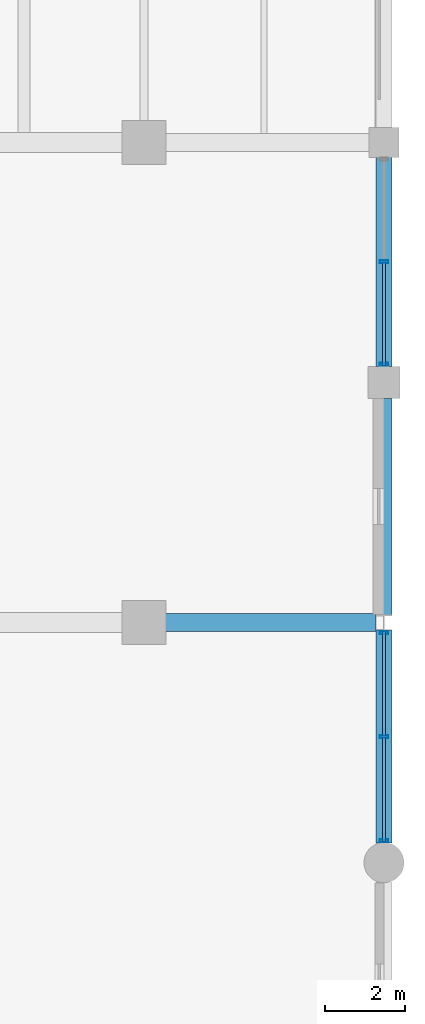
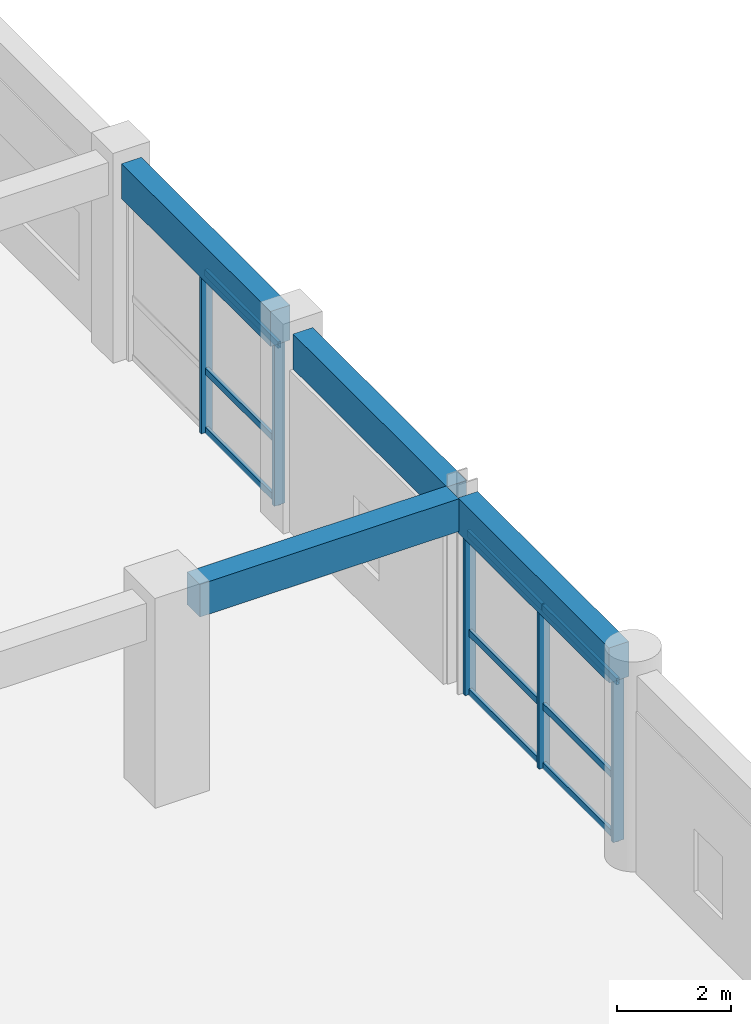
# One storey, part 67 of 133: 14 members, 4 beams, 2 elements without a shape of their own.
"""IFC4 building model written with IfcOpenShell, lengths in metres."""

from ifc_helpers import new_model, si_unit, direction, frame, origin, origin_2d, place, context, subcontext, project, spatial, rectangle, hollow_rectangle, extrude, material, material_profile, profile_set, type_object, element, aggregate, save


model = new_model("IFC4")

# Units and contexts
model_context = context("Model", 3, precision=1e-05, world=origin(), true_north=direction((0.0, 1.0)))
body_context = subcontext(model_context, "Body", "Model", "MODEL_VIEW")
ifc_project = project(units=[si_unit("LENGTHUNIT", "METRE"), si_unit("AREAUNIT", "SQUARE_METRE"), si_unit("VOLUMEUNIT", "CUBIC_METRE"), si_unit("PLANEANGLEUNIT", "RADIAN"), si_unit("MASSUNIT", "GRAM", prefix="KILO"), si_unit("THERMODYNAMICTEMPERATUREUNIT", "KELVIN"), si_unit("POWERUNIT", "WATT")], contexts=[model_context])

# Site, building, storey
site_placement = place(None, origin())
site = spatial("IfcSite", under=ifc_project, at=site_placement, CompositionType="ELEMENT")
building_placement = place(site_placement, origin())
building = spatial("IfcBuilding", under=site, at=building_placement, Name="Phaisarnlok Congress Hotel", CompositionType="ELEMENT")
storey_placement = place(building_placement, frame((0.0, 0.0, 6.0)))
storey = spatial("IfcBuildingStorey", under=building, at=storey_placement, Name="L01", CompositionType="ELEMENT", Elevation=6.0)

# Beam
ifc_material_1 = material(Name="Concrete C40/50", Category="concrete")
ifc_material_profile_1 = material_profile(ifc_material_1, rectangle(XDim=0.449951171875, YDim=0.699951171875, at=origin_2d()), Name="RC 450x700")
ifc_profile_set_1 = profile_set([ifc_material_profile_1], Name="Concrete C40/50")
beam_type_1 = type_object("IfcBeamType", Name="BM-RC-450x700", PredefinedType="BEAM", material=ifc_profile_set_1)
beam_1_placement = place(storey_placement, frame((174.544921875, 54.0, 3.8701171875), z_axis=(1.0, 0.0, 0.0), x_axis=(0.0, 1.0, 0.0)))
element("IfcBeam", 1, at=beam_1_placement, inside=storey, type_object=beam_type_1, Name="Beam B-03", PredefinedType="BEAM", context=body_context, shape_type="SweptSolid", body=[
    extrude(rectangle(XDim=0.449951171875, YDim=0.699951171875, at=origin_2d()), origin(), (0.0, 0.0, 1.0), 5.259521484375),
])

# Curtain wall, members
ifc_material_2 = material(Name="Thermally Broken Unitised Aluminium & Low-E Glazing", Category="aluminium")
curtain_wall_type_1 = type_object("IfcCurtainWallType", Name="CW-UNIT-13", PredefinedType="NOTDEFINED", material=ifc_material_2)
curtain_wall_1_placement = place(storey_placement, origin())
curtain_wall_1 = element("IfcCurtainWall", 2, at=curtain_wall_1_placement, inside=storey, type_object=curtain_wall_type_1, Name="Unitised curtain wall CW-13 (L01)", PredefinedType="NOTDEFINED")
ifc_material_3 = material(Name="Anodised Aluminium Alloy 6063-T6", Category="aluminium")
ifc_material_profile_2 = material_profile(ifc_material_3, hollow_rectangle(XDim=0.074951171875, YDim=0.219970703125, WallThickness=0.0048828125, at=origin_2d()), Name="ALU-M 75x220x5")
ifc_profile_set_2 = profile_set([ifc_material_profile_2], Name="Anodised Aluminium Alloy 6063-T6")
member_type_1 = type_object("IfcMemberType", Name="CWM-220", PredefinedType="MULLION", material=ifc_profile_set_2)
member_1_placement = place(storey_placement, frame((180.0, 48.550048828125, 0.0), z_axis=(0.0, 0.0, 1.0), x_axis=(0.0, 1.0, 0.0)))
member_1 = element("IfcMember", 3, at=member_1_placement, type_object=member_type_1, Name="Curtain wall mullion CWM-02", PredefinedType="MULLION", context=body_context, shape_type="SweptSolid", body=[
    extrude(hollow_rectangle(XDim=0.074951171875, YDim=0.219970703125, WallThickness=0.0048828125, at=origin_2d()), origin(), (0.0, 0.0, 1.0), 3.469970703125),
])
member_2_placement = place(storey_placement, frame((180.0, 51.150146484375, 0.0), z_axis=(0.0, 0.0, 1.0), x_axis=(0.0, 1.0, 0.0)))
member_2 = element("IfcMember", 4, at=member_2_placement, type_object=member_type_1, Name="Curtain wall mullion CWM-02", PredefinedType="MULLION", context=body_context, shape_type="SweptSolid", body=[
    extrude(hollow_rectangle(XDim=0.074951171875, YDim=0.219970703125, WallThickness=0.0048828125, at=origin_2d()), origin(), (0.0, 0.0, 1.0), 3.469970703125),
])
member_3_placement = place(storey_placement, frame((180.0, 53.75048828125, 0.0), z_axis=(0.0, 0.0, 1.0), x_axis=(0.0, 1.0, 0.0)))
member_3 = element("IfcMember", 5, at=member_3_placement, type_object=member_type_1, Name="Curtain wall mullion CWM-02", PredefinedType="MULLION", context=body_context, shape_type="SweptSolid", body=[
    extrude(hollow_rectangle(XDim=0.074951171875, YDim=0.219970703125, WallThickness=0.0048828125, at=origin_2d()), origin(), (0.0, 0.0, 1.0), 3.469970703125),
])

curtain_wall_type_2 = type_object("IfcCurtainWallType", Name="CW-UNIT-15", PredefinedType="NOTDEFINED", material=ifc_material_2)
curtain_wall_2_placement = place(storey_placement, origin())
curtain_wall_2 = element("IfcCurtainWall", 6, at=curtain_wall_2_placement, inside=storey, type_object=curtain_wall_type_2, Name="Unitised curtain wall CW-15 (L01)", PredefinedType="NOTDEFINED")
member_4_placement = place(storey_placement, frame((180.0, 60.449951171875, 0.0), z_axis=(0.0, 0.0, 1.0), x_axis=(0.0, 1.0, 0.0)))
member_4 = element("IfcMember", 7, at=member_4_placement, type_object=member_type_1, Name="Curtain wall mullion CWM-02", PredefinedType="MULLION", context=body_context, shape_type="SweptSolid", body=[
    extrude(hollow_rectangle(XDim=0.074951171875, YDim=0.219970703125, WallThickness=0.0048828125, at=origin_2d()), origin(), (0.0, 0.0, 1.0), 3.469970703125),
])
member_5_placement = place(storey_placement, frame((180.0, 63.012451171875, 0.0), z_axis=(0.0, 0.0, 1.0), x_axis=(0.0, 1.0, 0.0)))
member_5 = element("IfcMember", 8, at=member_5_placement, type_object=member_type_1, Name="Curtain wall mullion CWM-02", PredefinedType="MULLION", context=body_context, shape_type="SweptSolid", body=[
    extrude(hollow_rectangle(XDim=0.074951171875, YDim=0.219970703125, WallThickness=0.0048828125, at=origin_2d()), origin(), (0.0, 0.0, 1.0), 3.469970703125),
])

# Member
ifc_material_profile_3 = material_profile(ifc_material_3, hollow_rectangle(XDim=0.06494140625, YDim=0.139892578125, WallThickness=0.00390625, at=origin_2d()), Name="ALU-T 65x140x4")
ifc_profile_set_3 = profile_set([ifc_material_profile_3], Name="Anodised Aluminium Alloy 6063-T6")
member_type_2 = type_object("IfcMemberType", Name="CWT-150", PredefinedType="USERDEFINED", material=ifc_profile_set_3)
member_6_placement = place(storey_placement, frame((180.0, 48.52490234375, 0.050048828125), z_axis=(0.0, 1.0, 0.0), x_axis=(-1.0, 0.0, 0.0)))
member_6 = element("IfcMember", 9, at=member_6_placement, type_object=member_type_2, Name="Curtain wall transom CWT-01", ObjectType="TRANSOM", PredefinedType="USERDEFINED", context=body_context, shape_type="SweptSolid", body=[
    extrude(hollow_rectangle(XDim=0.06494140625, YDim=0.139892578125, WallThickness=0.00390625, at=origin_2d()), origin(), (0.0, 0.0, 1.0), 2.6103515625),
])

member_7_placement = place(storey_placement, frame((180.0, 48.52490234375, 1.318603515625), z_axis=(0.0, 1.0, 0.0), x_axis=(-1.0, 0.0, 0.0)))
member_7 = element("IfcMember", 10, at=member_7_placement, type_object=member_type_2, Name="Curtain wall transom CWT-01", ObjectType="TRANSOM", PredefinedType="USERDEFINED", context=body_context, shape_type="SweptSolid", body=[
    extrude(hollow_rectangle(XDim=0.06494140625, YDim=0.139892578125, WallThickness=0.00390625, at=origin_2d()), origin(), (0.0, 0.0, 1.0), 2.6103515625),
])

member_8_placement = place(storey_placement, frame((180.0, 48.52490234375, 3.419921875), z_axis=(0.0, 1.0, 0.0), x_axis=(-1.0, 0.0, 0.0)))
member_8 = element("IfcMember", 11, at=member_8_placement, type_object=member_type_2, Name="Curtain wall transom CWT-01", ObjectType="TRANSOM", PredefinedType="USERDEFINED", context=body_context, shape_type="SweptSolid", body=[
    extrude(hollow_rectangle(XDim=0.06494140625, YDim=0.139892578125, WallThickness=0.00390625, at=origin_2d()), origin(), (0.0, 0.0, 1.0), 2.6103515625),
])

member_9_placement = place(storey_placement, frame((180.0, 51.165283203125, 0.050048828125), z_axis=(0.0, 1.0, 0.0), x_axis=(-1.0, 0.0, 0.0)))
member_9 = element("IfcMember", 12, at=member_9_placement, type_object=member_type_2, Name="Curtain wall transom CWT-01", ObjectType="TRANSOM", PredefinedType="USERDEFINED", context=body_context, shape_type="SweptSolid", body=[
    extrude(hollow_rectangle(XDim=0.06494140625, YDim=0.139892578125, WallThickness=0.00390625, at=origin_2d()), origin(), (0.0, 0.0, 1.0), 2.610107421875),
])

member_10_placement = place(storey_placement, frame((180.0, 51.165283203125, 1.318603515625), z_axis=(0.0, 1.0, 0.0), x_axis=(-1.0, 0.0, 0.0)))
member_10 = element("IfcMember", 13, at=member_10_placement, type_object=member_type_2, Name="Curtain wall transom CWT-01", ObjectType="TRANSOM", PredefinedType="USERDEFINED", context=body_context, shape_type="SweptSolid", body=[
    extrude(hollow_rectangle(XDim=0.06494140625, YDim=0.139892578125, WallThickness=0.00390625, at=origin_2d()), origin(), (0.0, 0.0, 1.0), 2.610107421875),
])

member_11_placement = place(storey_placement, frame((180.0, 51.165283203125, 3.419921875), z_axis=(0.0, 1.0, 0.0), x_axis=(-1.0, 0.0, 0.0)))
member_11 = element("IfcMember", 14, at=member_11_placement, type_object=member_type_2, Name="Curtain wall transom CWT-01", ObjectType="TRANSOM", PredefinedType="USERDEFINED", context=body_context, shape_type="SweptSolid", body=[
    extrude(hollow_rectangle(XDim=0.06494140625, YDim=0.139892578125, WallThickness=0.00390625, at=origin_2d()), origin(), (0.0, 0.0, 1.0), 2.610107421875),
])

aggregate(curtain_wall_1, [member_1, member_2, member_3, member_6, member_7, member_8, member_9, member_10, member_11])

member_12_placement = place(storey_placement, frame((180.0, 60.425048828125, 0.050048828125), z_axis=(0.0, 1.0, 0.0), x_axis=(-1.0, 0.0, 0.0)))
member_12 = element("IfcMember", 15, at=member_12_placement, type_object=member_type_2, Name="Curtain wall transom CWT-01", ObjectType="TRANSOM", PredefinedType="USERDEFINED", context=body_context, shape_type="SweptSolid", body=[
    extrude(hollow_rectangle(XDim=0.06494140625, YDim=0.139892578125, WallThickness=0.00390625, at=origin_2d()), origin(), (0.0, 0.0, 1.0), 2.572509765625),
])

member_13_placement = place(storey_placement, frame((180.0, 60.425048828125, 1.318603515625), z_axis=(0.0, 1.0, 0.0), x_axis=(-1.0, 0.0, 0.0)))
member_13 = element("IfcMember", 16, at=member_13_placement, type_object=member_type_2, Name="Curtain wall transom CWT-01", ObjectType="TRANSOM", PredefinedType="USERDEFINED", context=body_context, shape_type="SweptSolid", body=[
    extrude(hollow_rectangle(XDim=0.06494140625, YDim=0.139892578125, WallThickness=0.00390625, at=origin_2d()), origin(), (0.0, 0.0, 1.0), 2.572509765625),
])

member_14_placement = place(storey_placement, frame((180.0, 60.425048828125, 3.419921875), z_axis=(0.0, 1.0, 0.0), x_axis=(-1.0, 0.0, 0.0)))
member_14 = element("IfcMember", 17, at=member_14_placement, type_object=member_type_2, Name="Curtain wall transom CWT-01", ObjectType="TRANSOM", PredefinedType="USERDEFINED", context=body_context, shape_type="SweptSolid", body=[
    extrude(hollow_rectangle(XDim=0.06494140625, YDim=0.139892578125, WallThickness=0.00390625, at=origin_2d()), origin(), (0.0, 0.0, 1.0), 2.572509765625),
])

aggregate(curtain_wall_2, [member_4, member_5, member_12, member_13, member_14])

# Beams
ifc_material_profile_4 = material_profile(ifc_material_1, rectangle(XDim=0.39990234375, YDim=0.75, at=origin_2d()), Name="RC 400x750")
ifc_profile_set_4 = profile_set([ifc_material_profile_4], Name="Concrete C40/50")
beam_type_2 = type_object("IfcBeamType", Name="SP-RC-400x750", PredefinedType="SPANDREL", material=ifc_profile_set_4)
beam_2_placement = place(storey_placement, frame((180.0, 48.4951171875, 3.844970703125), z_axis=(0.0, 1.0, 0.0), x_axis=(-1.0, 0.0, 0.0)))
element("IfcBeam", 18, at=beam_2_placement, inside=storey, type_object=beam_type_2, Name="Beam SP-02", PredefinedType="SPANDREL", context=body_context, shape_type="SweptSolid", body=[
    extrude(rectangle(XDim=0.39990234375, YDim=0.75, at=origin_2d()), origin(), (0.0, 0.0, 1.0), 5.310302734375),
])
beam_3_placement = place(storey_placement, frame((180.0, 54.194580078125, 3.844970703125), z_axis=(0.0, 1.0, 0.0), x_axis=(-1.0, 0.0, 0.0)))
element("IfcBeam", 19, at=beam_3_placement, inside=storey, type_object=beam_type_2, Name="Beam SP-02", PredefinedType="SPANDREL", context=body_context, shape_type="SweptSolid", body=[
    extrude(rectangle(XDim=0.39990234375, YDim=0.75, at=origin_2d()), origin(), (0.0, 0.0, 1.0), 5.410400390625),
])
beam_4_placement = place(storey_placement, frame((180.0, 60.39501953125, 3.844970703125), z_axis=(0.0, 1.0, 0.0), x_axis=(-1.0, 0.0, 0.0)))
element("IfcBeam", 20, at=beam_4_placement, inside=storey, type_object=beam_type_2, Name="Beam SP-02", PredefinedType="SPANDREL", context=body_context, shape_type="SweptSolid", body=[
    extrude(rectangle(XDim=0.39990234375, YDim=0.75, at=origin_2d()), origin(), (0.0, 0.0, 1.0), 5.23486328125),
])

save(model, "model.ifc")
